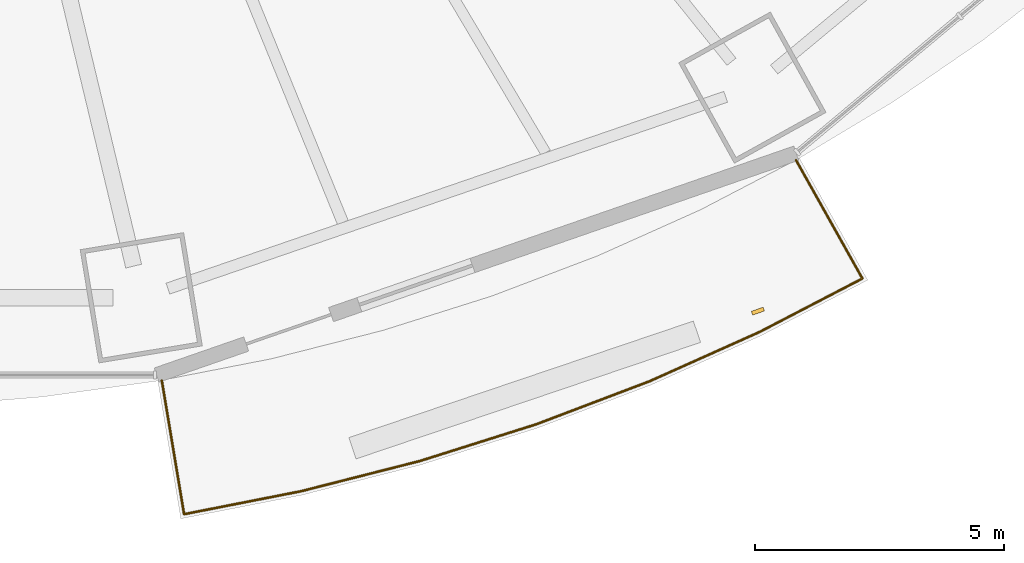
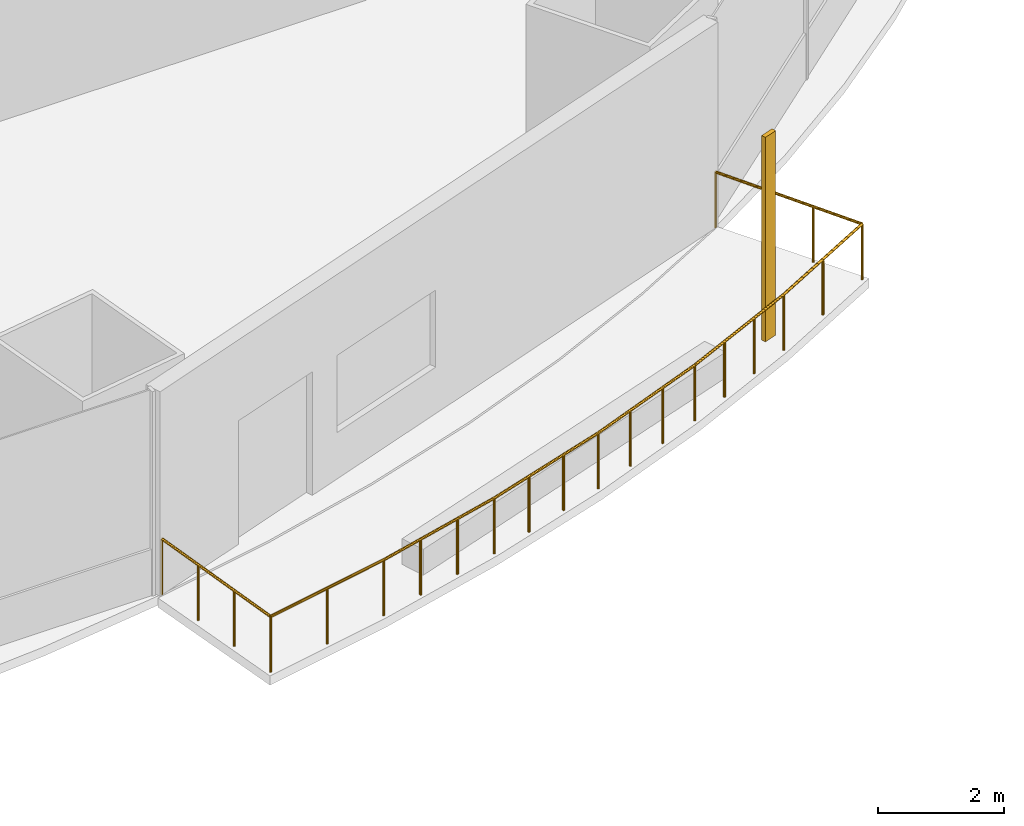
# One storey, part 18 of 22: 1 railing, 1 shading device.
"""IFC4 building model written with IfcOpenShell, lengths in metres."""

from ifc_helpers import new_model, si_unit, direction, frame, origin, origin_2d, place, context, subcontext, project, spatial, rectangle, circle, extrude, material, material_profile, profile_set, type_object, element, save


model = new_model("IFC4")

# Units and contexts
model_context = context("Model", 3, precision=1e-05, world=origin(), true_north=direction((0.0, 1.0)))
body_context = subcontext(model_context, "Body", "Model", "MODEL_VIEW")
ifc_project = project(units=[si_unit("LENGTHUNIT", "METRE"), si_unit("AREAUNIT", "SQUARE_METRE"), si_unit("VOLUMEUNIT", "CUBIC_METRE"), si_unit("PLANEANGLEUNIT", "RADIAN"), si_unit("MASSUNIT", "GRAM", prefix="KILO")], contexts=[model_context])

# Site, building, storey
site_placement = place(None, origin())
site = spatial("IfcSite", under=ifc_project, at=site_placement, CompositionType="ELEMENT")
building_placement = place(site_placement, origin())
building = spatial("IfcBuilding", under=site, at=building_placement, Name="Marenthal Gate Tower", CompositionType="ELEMENT")
storey_placement = place(building_placement, frame((0.0, 0.0, 78.64990234375)))
storey = spatial("IfcBuildingStorey", under=building, at=storey_placement, Name="L15", CompositionType="ELEMENT", Elevation=78.64990234375)

# Railing
ifc_material_1 = material(Name="Stainless steel", Category="steel")
railing_type = type_object("IfcRailingType", Name="Balcony guard 1100", PredefinedType="GUARDRAIL", material=ifc_material_1)
railing_placement = place(storey_placement, frame((19.7490234375, -24.9033203125, 0.0)))
element("IfcRailing", 1, at=railing_placement, inside=storey, type_object=railing_type, Name="Balcony guard L15 bay 13", PredefinedType="GUARDRAIL", context=body_context, shape_type="SweptSolid", body=[
    extrude(circle(Radius=0.02392578125, at=origin_2d()), frame((0.0, 0.0, 1.076171875), z_axis=(0.488917232051, -0.872207521714, -0.014628030254), x_axis=(0.872300853857, 0.488969549523, 0.0)), (0.0, 0.0, 1.0), 2.720458984375),
    extrude(circle(Radius=0.02392578125, at=origin_2d()), frame((1.330078125, -2.372802734375, 1.0361328125), z_axis=(-0.887259903965, -0.461269837314, 0.0), x_axis=(0.461269837314, -0.887259903965, 0.0)), (0.0, 0.0, 1.0), 2.318359375),
    extrude(circle(Radius=0.02392578125, at=origin_2d()), frame((-0.726806640625, -3.442138671875, 1.0361328125), z_axis=(-0.91254444095, -0.408977558419, 0.0), x_axis=(0.408977558419, -0.91254444095, 0.0)), (0.0, 0.0, 1.0), 2.415771484375),
    extrude(circle(Radius=0.02392578125, at=origin_2d()), frame((-2.931396484375, -4.43017578125, 1.0361328125), z_axis=(-0.934822913626, -0.355114235366, 0.0), x_axis=(0.355114235366, -0.934822913626, 0.0)), (0.0, 0.0, 1.0), 2.431640625),
    extrude(circle(Radius=0.02392578125, at=origin_2d()), frame((-5.20458984375, -5.293701171875, 1.0361328125), z_axis=(-0.953650519342, -0.300916411912, 0.0), x_axis=(0.300916411912, -0.953650519342, 0.0)), (0.0, 0.0, 1.0), 2.446044921875),
    extrude(circle(Radius=0.02392578125, at=origin_2d()), frame((-7.537353515625, -6.02978515625, 1.0361328125), z_axis=(-0.969164913017, -0.246413009756, 0.0), x_axis=(0.246413009756, -0.969164913017, 0.0)), (0.0, 0.0, 1.0), 2.4580078125),
    extrude(circle(Radius=0.02392578125, at=origin_2d()), frame((-9.919677734375, -6.635498046875, 1.0361328125), z_axis=(-0.981255035118, -0.192713663388, 0.0), x_axis=(0.192713663388, -0.981255035118, 0.0)), (0.0, 0.0, 1.0), 2.387939453125),
    extrude(circle(Radius=0.02392578125, at=origin_2d()), frame((-12.262939453125, -7.095703125, 1.0361328125), z_axis=(-0.164599699224, 0.98625196007, 0.014629089953), x_axis=(-0.986357511038, -0.164617315064, 0.0)), (0.0, 0.0, 1.0), 2.72021484375),
    extrude(circle(Radius=0.02099609375, at=origin_2d()), origin(), (0.0, 0.0, 1.0), 1.052001953125),
    extrude(circle(Radius=0.02099609375, at=origin_2d()), frame((0.443359375, -0.791015625, -0.01318359375)), (0.0, 0.0, 1.0), 1.052001953125),
    extrude(circle(Radius=0.02099609375, at=origin_2d()), frame((0.88671875, -1.581787109375, -0.026611328125)), (0.0, 0.0, 1.0), 1.052001953125),
    extrude(circle(Radius=0.02099609375, at=origin_2d()), frame((1.330078125, -2.372802734375, -0.039794921875)), (0.0, 0.0, 1.0), 1.052001953125),
    extrude(circle(Radius=0.02099609375, at=origin_2d()), frame((0.3017578125, -2.907470703125, -0.039794921875)), (0.0, 0.0, 1.0), 1.052001953125),
    extrude(circle(Radius=0.02099609375, at=origin_2d()), frame((-0.726806640625, -3.442138671875, -0.039794921875)), (0.0, 0.0, 1.0), 1.052001953125),
    extrude(circle(Radius=0.02099609375, at=origin_2d()), frame((-1.461669921875, -3.771484375, -0.039794921875)), (0.0, 0.0, 1.0), 1.052001953125),
    extrude(circle(Radius=0.02099609375, at=origin_2d()), frame((-2.196533203125, -4.100830078125, -0.039794921875)), (0.0, 0.0, 1.0), 1.052001953125),
    extrude(circle(Radius=0.02099609375, at=origin_2d()), frame((-2.931396484375, -4.43017578125, -0.039794921875)), (0.0, 0.0, 1.0), 1.052001953125),
    extrude(circle(Radius=0.02099609375, at=origin_2d()), frame((-3.689208984375, -4.718017578125, -0.039794921875)), (0.0, 0.0, 1.0), 1.052001953125),
    extrude(circle(Radius=0.02099609375, at=origin_2d()), frame((-4.44677734375, -5.005859375, -0.039794921875)), (0.0, 0.0, 1.0), 1.052001953125),
    extrude(circle(Radius=0.02099609375, at=origin_2d()), frame((-5.20458984375, -5.293701171875, -0.039794921875)), (0.0, 0.0, 1.0), 1.052001953125),
    extrude(circle(Radius=0.02099609375, at=origin_2d()), frame((-5.982177734375, -5.5390625, -0.039794921875)), (0.0, 0.0, 1.0), 1.052001953125),
    extrude(circle(Radius=0.02099609375, at=origin_2d()), frame((-6.759765625, -5.784423828125, -0.039794921875)), (0.0, 0.0, 1.0), 1.052001953125),
    extrude(circle(Radius=0.02099609375, at=origin_2d()), frame((-7.537353515625, -6.02978515625, -0.039794921875)), (0.0, 0.0, 1.0), 1.052001953125),
    extrude(circle(Radius=0.02099609375, at=origin_2d()), frame((-8.33154296875, -6.231689453125, -0.039794921875)), (0.0, 0.0, 1.0), 1.052001953125),
    extrude(circle(Radius=0.02099609375, at=origin_2d()), frame((-9.12548828125, -6.43359375, -0.039794921875)), (0.0, 0.0, 1.0), 1.052001953125),
    extrude(circle(Radius=0.02099609375, at=origin_2d()), frame((-9.919677734375, -6.635498046875, -0.039794921875)), (0.0, 0.0, 1.0), 1.052001953125),
    extrude(circle(Radius=0.02099609375, at=origin_2d()), frame((-11.09130859375, -6.86572265625, -0.039794921875)), (0.0, 0.0, 1.0), 1.052001953125),
    extrude(circle(Radius=0.02099609375, at=origin_2d()), frame((-12.262939453125, -7.095703125, -0.039794921875)), (0.0, 0.0, 1.0), 1.052001953125),
    extrude(circle(Radius=0.02099609375, at=origin_2d()), frame((-12.412109375, -6.201416015625, -0.026611328125)), (0.0, 0.0, 1.0), 1.052001953125),
    extrude(circle(Radius=0.02099609375, at=origin_2d()), frame((-12.5615234375, -5.30712890625, -0.01318359375)), (0.0, 0.0, 1.0), 1.052001953125),
    extrude(circle(Radius=0.02099609375, at=origin_2d()), frame((-12.710693359375, -4.412841796875, 0.0)), (0.0, 0.0, 1.0), 1.052001953125),
])

# Shading device
ifc_material_2 = material(Name="Terracotta", Category="masonry")
ifc_material_profile = material_profile(ifc_material_2, rectangle(XDim=0.25, YDim=0.080078125, at=origin_2d()), Name="Terracotta baguette 250x80")
ifc_profile_set = profile_set([ifc_material_profile], Name="Terracotta")
shading_device_type = type_object("IfcShadingDeviceType", Name="Terracotta BAGUETTE SCREEN 250x80", PredefinedType="USERDEFINED", material=ifc_profile_set)
shading_device_placement = place(storey_placement, frame((18.984375, -27.93017578125, -0.039794921875), z_axis=(0.0, 0.0, 1.0), x_axis=(0.944656596613, 0.328060839595, 0.0)))
element("IfcShadingDevice", 2, at=shading_device_placement, inside=storey, type_object=shading_device_type, Name="Terracotta BAGUETTE L15 bay 13R", ObjectType="BAGUETTE SCREEN", PredefinedType="USERDEFINED", context=body_context, shape_type="SweptSolid", body=[
    extrude(rectangle(XDim=0.25, YDim=0.080078125, at=origin_2d()), origin(), (0.0, 0.0, 1.0), 3.969970703125),
])

save(model, "model.ifc")
